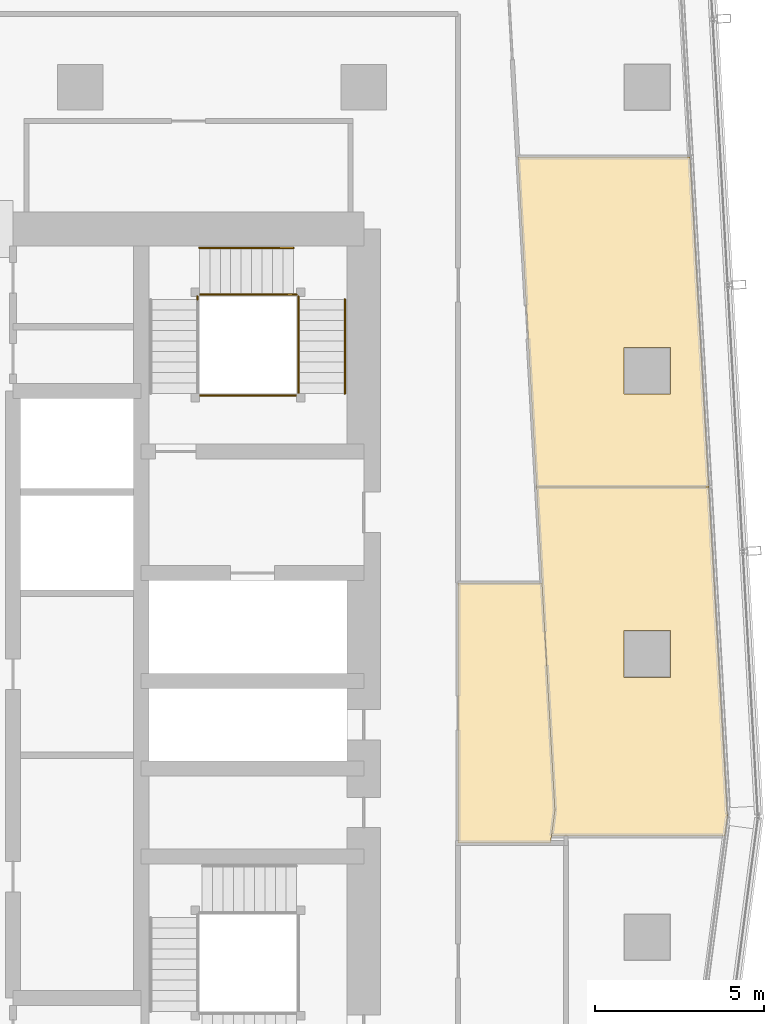
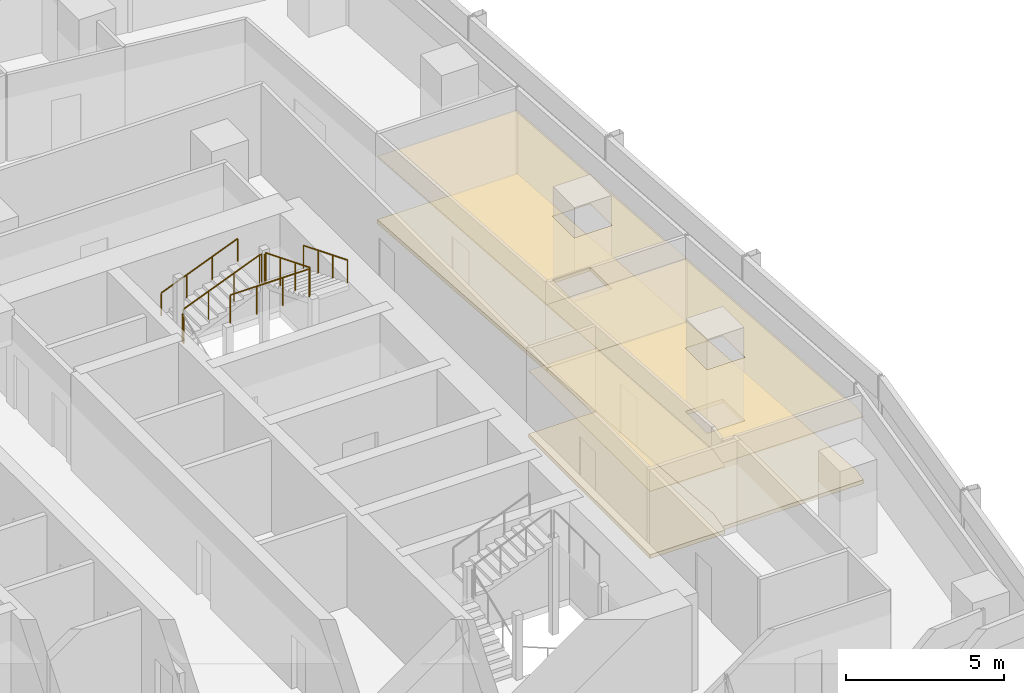
# One storey, part 34 of 35: 8 railings, 6 coverings.
"""IFC4 building model written with IfcOpenShell, lengths in metres."""

from ifc_helpers import new_model, si_unit, direction, frame, origin, origin_2d, place, context, subcontext, project, spatial, polyline, circle, outline, extrude, material, layer, layer_set, type_object, element, save


model = new_model("IFC4")

# Units and contexts
model_context = context("Model", 3, precision=1e-05, world=origin(), true_north=direction((0.0, 1.0)))
body_context = subcontext(model_context, "Body", "Model", "MODEL_VIEW")
ifc_project = project(units=[si_unit("LENGTHUNIT", "METRE"), si_unit("AREAUNIT", "SQUARE_METRE"), si_unit("VOLUMEUNIT", "CUBIC_METRE"), si_unit("PLANEANGLEUNIT", "RADIAN"), si_unit("MASSUNIT", "GRAM", prefix="KILO")], contexts=[model_context])

# Site, building, storey
site_placement = place(None, origin())
site = spatial("IfcSite", under=ifc_project, at=site_placement, CompositionType="ELEMENT")
building_placement = place(site_placement, origin())
building = spatial("IfcBuilding", under=site, at=building_placement, Name="Rekha Terrace Tower", CompositionType="ELEMENT")
storey_placement = place(building_placement, frame((0.0, 0.0, 191.449951171875)))
storey = spatial("IfcBuildingStorey", under=building, at=storey_placement, Name="L48", CompositionType="ELEMENT", Elevation=191.449951171875)

# Coverings
ifc_material_1 = material(Name="Mineral fibre tile in exposed grid", Category="finish")
ifc_layer_1 = layer(ifc_material_1, 0.02001953125)
ifc_layer_set_1 = layer_set([ifc_layer_1], Name="Mineral fibre tile in exposed grid")
covering_type_1 = type_object("IfcCoveringType", Name="CL1 600x1200 office grid ceiling", PredefinedType="CEILING", material=ifc_layer_set_1)
covering_1_placement = place(storey_placement, frame((0.0, 0.0, 2.580078125)))
element("IfcCovering", 1, at=covering_1_placement, inside=storey, type_object=covering_type_1, Name="Ceiling L48-05", PredefinedType="CEILING", context=body_context, shape_type="SweptSolid", body=[
    extrude(outline(polyline([(61.18603515625, 28.780029296875), (60.631103515625, 38.554931640625), (55.52294921875, 38.554931640625), (56.06689453125, 28.971923828125), (55.966064453125, 28.208984375), (61.110107421875, 28.208984375), (61.18603515625, 28.780029296875)]), holes=[polyline([(59.489990234375, 34.2900390625), (59.489990234375, 32.909912109375), (58.110107421875, 32.909912109375), (58.110107421875, 34.2900390625), (59.489990234375, 34.2900390625)])]), origin(), (0.0, 0.0, 1.0), 0.02001953125),
])
covering_2_placement = place(storey_placement, frame((0.0, 0.0, 2.580078125)))
element("IfcCovering", 2, at=covering_2_placement, inside=storey, type_object=covering_type_1, Name="Ceiling L48-06", PredefinedType="CEILING", context=body_context, shape_type="SweptSolid", body=[
    extrude(outline(polyline([(55.52294921875, 38.555908203125), (60.631103515625, 38.555908203125), (60.075927734375, 48.3310546875), (54.968017578125, 48.3310546875), (55.52294921875, 38.555908203125)]), holes=[polyline([(59.489990234375, 41.31005859375), (58.110107421875, 41.31005859375), (58.110107421875, 42.68994140625), (59.489990234375, 42.68994140625), (59.489990234375, 41.31005859375)])]), origin(), (0.0, 0.0, 1.0), 0.02001953125),
])
covering_3_placement = place(storey_placement, frame((0.0, 0.0, 2.580078125)))
element("IfcCovering", 3, at=covering_3_placement, inside=storey, type_object=covering_type_1, Name="Ceiling L48-12", PredefinedType="CEILING", context=body_context, shape_type="SweptSolid", body=[
    extrude(outline(polyline([(55.68505859375, 35.700927734375), (53.199951171875, 35.700927734375), (53.199951171875, 28.0), (55.93798828125, 28.0), (55.998046875, 28.450927734375), (56.06689453125, 28.971923828125), (55.68505859375, 35.700927734375)])), origin(), (0.0, 0.0, 1.0), 0.02001953125),
])

# Railings
ifc_material_2 = material(Name="Stainless steel balustrade", Category="steel")
railing_type_1 = type_object("IfcRailingType", Name="GR1 1100 stair guard", PredefinedType="GUARDRAIL", material=ifc_material_2)
railing_1_placement = place(storey_placement, frame((45.52490234375, 44.260009765625, 1.375)))
element("IfcRailing", 4, at=railing_1_placement, inside=storey, type_object=railing_type_1, Name="Guard ST2 L48 flight 2", PredefinedType="GUARDRAIL", context=body_context, shape_type="SweptSolid", body=[
    extrude(circle(Radius=0.02392578125, at=origin_2d()), frame((0.0, 0.0, 1.076171875), z_axis=(0.927443287984, 0.0, 0.373963831907), x_axis=(0.0, 1.0, 0.0)), (0.0, 0.0, 1.0), 3.00830078125),
    extrude(circle(Radius=0.02099609375, at=origin_2d()), origin(), (0.0, 0.0, 1.0), 1.052001953125),
    extrude(circle(Radius=0.02099609375, at=origin_2d()), frame((0.929931640625, 0.0, 0.375)), (0.0, 0.0, 1.0), 1.052001953125),
    extrude(circle(Radius=0.02099609375, at=origin_2d()), frame((1.860107421875, 0.0, 0.75)), (0.0, 0.0, 1.0), 1.052001953125),
    extrude(circle(Radius=0.02099609375, at=origin_2d()), frame((2.7900390625, 0.0, 1.125)), (0.0, 0.0, 1.0), 1.052001953125),
])
railing_2_placement = place(storey_placement, frame((48.4599609375, 44.114990234375, 2.625)))
element("IfcRailing", 5, at=railing_2_placement, inside=storey, type_object=railing_type_1, Name="Guard ST2 L48 flight 3", PredefinedType="GUARDRAIL", context=body_context, shape_type="SweptSolid", body=[
    extrude(circle(Radius=0.02392578125, at=origin_2d()), frame((0.0, 0.0, 1.076171875), z_axis=(0.0, -0.927443287984, 0.373963831907), x_axis=(1.0, 0.0, 0.0)), (0.0, 0.0, 1.0), 3.00830078125),
    extrude(circle(Radius=0.02099609375, at=origin_2d()), origin(), (0.0, 0.0, 1.0), 1.052001953125),
    extrude(circle(Radius=0.02099609375, at=origin_2d()), frame((0.0, -0.929931640625, 0.375)), (0.0, 0.0, 1.0), 1.052001953125),
    extrude(circle(Radius=0.02099609375, at=origin_2d()), frame((0.0, -1.860107421875, 0.75)), (0.0, 0.0, 1.0), 1.052001953125),
    extrude(circle(Radius=0.02099609375, at=origin_2d()), frame((0.0, -2.7900390625, 1.125)), (0.0, 0.0, 1.0), 1.052001953125),
])
railing_3_placement = place(storey_placement, frame((45.465087890625, 44.114990234375, 1.25)))
element("IfcRailing", 6, at=railing_3_placement, inside=storey, type_object=railing_type_1, Name="Guard ST2 L48 landing 1", PredefinedType="GUARDRAIL", context=body_context, shape_type="SweptSolid", body=[
    extrude(circle(Radius=0.02392578125, at=origin_2d()), frame((0.0, 0.0, 1.076171875), z_axis=(0.0, 1.0, 0.0), x_axis=(-1.0, 0.0, 0.0)), (0.0, 0.0, 1.0), 0.0849609375),
    extrude(circle(Radius=0.02099609375, at=origin_2d()), origin(), (0.0, 0.0, 1.0), 1.052001953125),
    extrude(circle(Radius=0.02099609375, at=origin_2d()), frame((0.0, 0.0849609375, 0.0)), (0.0, 0.0, 1.0), 1.052001953125),
])
railing_4_placement = place(storey_placement, frame((48.31494140625, 44.260009765625, 2.5)))
element("IfcRailing", 7, at=railing_4_placement, inside=storey, type_object=railing_type_1, Name="Guard ST2 L48 landing 2", PredefinedType="GUARDRAIL", context=body_context, shape_type="SweptSolid", body=[
    extrude(circle(Radius=0.02392578125, at=origin_2d()), frame((0.0, 0.0, 1.076171875), z_axis=(1.0, 0.0, 0.0), x_axis=(0.0, 1.0, 0.0)), (0.0, 0.0, 1.0), 0.0849609375),
    extrude(circle(Radius=0.02099609375, at=origin_2d()), origin(), (0.0, 0.0, 1.0), 1.052001953125),
    extrude(circle(Radius=0.02099609375, at=origin_2d()), frame((0.0849609375, 0.0, 0.0)), (0.0, 0.0, 1.0), 1.052001953125),
])
railing_5_placement = place(storey_placement, frame((48.4599609375, 44.114990234375, 2.5)))
element("IfcRailing", 8, at=railing_5_placement, inside=storey, type_object=railing_type_1, Name="Guard ST2 L48 landing 3", PredefinedType="GUARDRAIL", context=body_context, shape_type="SweptSolid", body=[
    extrude(circle(Radius=0.02392578125, at=origin_2d()), frame((0.0, 0.0, 1.076171875), z_axis=(0.0, 1.0, 0.0), x_axis=(-1.0, 0.0, 0.0)), (0.0, 0.0, 1.0), 0.0849609375),
    extrude(circle(Radius=0.02099609375, at=origin_2d()), origin(), (0.0, 0.0, 1.0), 1.052001953125),
    extrude(circle(Radius=0.02099609375, at=origin_2d()), frame((0.0, 0.0849609375, 0.0)), (0.0, 0.0, 1.0), 1.052001953125),
])
railing_6_placement = place(storey_placement, frame((45.52490234375, 41.264892578125, 3.75)))
element("IfcRailing", 9, at=railing_6_placement, inside=storey, type_object=railing_type_1, Name="Guard ST2 L48 landing 4", PredefinedType="GUARDRAIL", context=body_context, shape_type="SweptSolid", body=[
    extrude(circle(Radius=0.02392578125, at=origin_2d()), frame((0.0, 0.0, 1.076171875), z_axis=(1.0, 0.0, 0.0), x_axis=(0.0, 1.0, 0.0)), (0.0, 0.0, 1.0), 2.875),
    extrude(circle(Radius=0.02099609375, at=origin_2d()), origin(), (0.0, 0.0, 1.0), 1.052001953125),
    extrude(circle(Radius=0.02099609375, at=origin_2d()), frame((0.958251953125, 0.0, 0.0)), (0.0, 0.0, 1.0), 1.052001953125),
    extrude(circle(Radius=0.02099609375, at=origin_2d()), frame((1.916748046875, 0.0, 0.0)), (0.0, 0.0, 1.0), 1.052001953125),
    extrude(circle(Radius=0.02099609375, at=origin_2d()), frame((2.875, 0.0, 0.0)), (0.0, 0.0, 1.0), 1.052001953125),
])
ifc_material_3 = material(Name="Stainless steel tube", Category="steel")
railing_type_2 = type_object("IfcRailingType", Name="HR1 900 stair handrail", PredefinedType="HANDRAIL", material=ifc_material_3)
railing_7_placement = place(storey_placement, frame((45.52490234375, 45.639892578125, 1.375)))
element("IfcRailing", 10, at=railing_7_placement, inside=storey, type_object=railing_type_2, Name="Handrail ST2 L48 flight 2", PredefinedType="HANDRAIL", context=body_context, shape_type="SweptSolid", body=[
    extrude(circle(Radius=0.02392578125, at=origin_2d()), frame((0.0, 0.0, 0.8759765625), z_axis=(0.927443287984, 0.0, 0.373963831907), x_axis=(0.0, 1.0, 0.0)), (0.0, 0.0, 1.0), 3.00830078125),
    extrude(circle(Radius=0.02099609375, at=origin_2d()), origin(), (0.0, 0.0, 1.0), 0.851806640625),
    extrude(circle(Radius=0.02099609375, at=origin_2d()), frame((0.929931640625, 0.0, 0.375)), (0.0, 0.0, 1.0), 0.851806640625),
    extrude(circle(Radius=0.02099609375, at=origin_2d()), frame((1.860107421875, 0.0, 0.75)), (0.0, 0.0, 1.0), 0.851806640625),
    extrude(circle(Radius=0.02099609375, at=origin_2d()), frame((2.7900390625, 0.0, 1.125)), (0.0, 0.0, 1.0), 0.851806640625),
])
railing_8_placement = place(storey_placement, frame((49.840087890625, 44.114990234375, 2.625)))
element("IfcRailing", 11, at=railing_8_placement, inside=storey, type_object=railing_type_2, Name="Handrail ST2 L48 flight 3", PredefinedType="HANDRAIL", context=body_context, shape_type="SweptSolid", body=[
    extrude(circle(Radius=0.02392578125, at=origin_2d()), frame((0.0, 0.0, 0.8759765625), z_axis=(0.0, -0.927443287984, 0.373963831907), x_axis=(1.0, 0.0, 0.0)), (0.0, 0.0, 1.0), 3.00830078125),
    extrude(circle(Radius=0.02099609375, at=origin_2d()), origin(), (0.0, 0.0, 1.0), 0.851806640625),
    extrude(circle(Radius=0.02099609375, at=origin_2d()), frame((0.0, -0.929931640625, 0.375)), (0.0, 0.0, 1.0), 0.851806640625),
    extrude(circle(Radius=0.02099609375, at=origin_2d()), frame((0.0, -1.860107421875, 0.75)), (0.0, 0.0, 1.0), 0.851806640625),
    extrude(circle(Radius=0.02099609375, at=origin_2d()), frame((0.0, -2.7900390625, 1.125)), (0.0, 0.0, 1.0), 0.851806640625),
])

# Coverings
ifc_material_4 = material(Name="Calcium sulphate panels on steel pedestals", Category="steel")
ifc_layer_2 = layer(ifc_material_4, 0.14990234375)
ifc_layer_set_2 = layer_set([ifc_layer_2], Name="Calcium sulphate panels on steel pedestals")
covering_type_2 = type_object("IfcCoveringType", Name="RF1 150 raised access floor", PredefinedType="FLOORING", material=ifc_layer_set_2)
covering_4_placement = place(storey_placement, origin())
element("IfcCovering", 12, at=covering_4_placement, inside=storey, type_object=covering_type_2, Name="Raised floor L48-05", PredefinedType="FLOORING", context=body_context, shape_type="SweptSolid", body=[
    extrude(outline(polyline([(61.18603515625, 28.780029296875), (60.631103515625, 38.554931640625), (55.52294921875, 38.554931640625), (56.06689453125, 28.971923828125), (55.966064453125, 28.208984375), (61.110107421875, 28.208984375), (61.18603515625, 28.780029296875)]), holes=[polyline([(59.489990234375, 34.2900390625), (59.489990234375, 32.909912109375), (58.110107421875, 32.909912109375), (58.110107421875, 34.2900390625), (59.489990234375, 34.2900390625)])]), origin(), (0.0, 0.0, 1.0), 0.150146484375),
])
covering_5_placement = place(storey_placement, origin())
element("IfcCovering", 13, at=covering_5_placement, inside=storey, type_object=covering_type_2, Name="Raised floor L48-06", PredefinedType="FLOORING", context=body_context, shape_type="SweptSolid", body=[
    extrude(outline(polyline([(55.52294921875, 38.555908203125), (60.631103515625, 38.555908203125), (60.075927734375, 48.3310546875), (54.968017578125, 48.3310546875), (55.52294921875, 38.555908203125)]), holes=[polyline([(59.489990234375, 41.31005859375), (58.110107421875, 41.31005859375), (58.110107421875, 42.68994140625), (59.489990234375, 42.68994140625), (59.489990234375, 41.31005859375)])]), origin(), (0.0, 0.0, 1.0), 0.150146484375),
])
covering_6_placement = place(storey_placement, origin())
element("IfcCovering", 14, at=covering_6_placement, inside=storey, type_object=covering_type_2, Name="Raised floor L48-12", PredefinedType="FLOORING", context=body_context, shape_type="SweptSolid", body=[
    extrude(outline(polyline([(55.68505859375, 35.700927734375), (53.199951171875, 35.700927734375), (53.199951171875, 28.0), (55.93798828125, 28.0), (55.998046875, 28.450927734375), (56.06689453125, 28.971923828125), (55.68505859375, 35.700927734375)])), origin(), (0.0, 0.0, 1.0), 0.150146484375),
])

save(model, "model.ifc")
